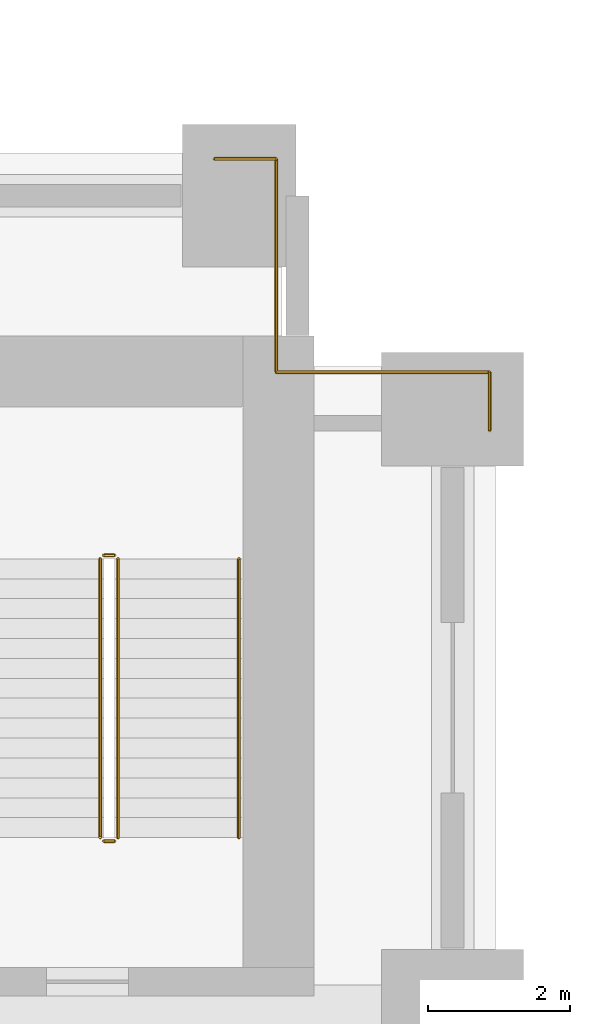
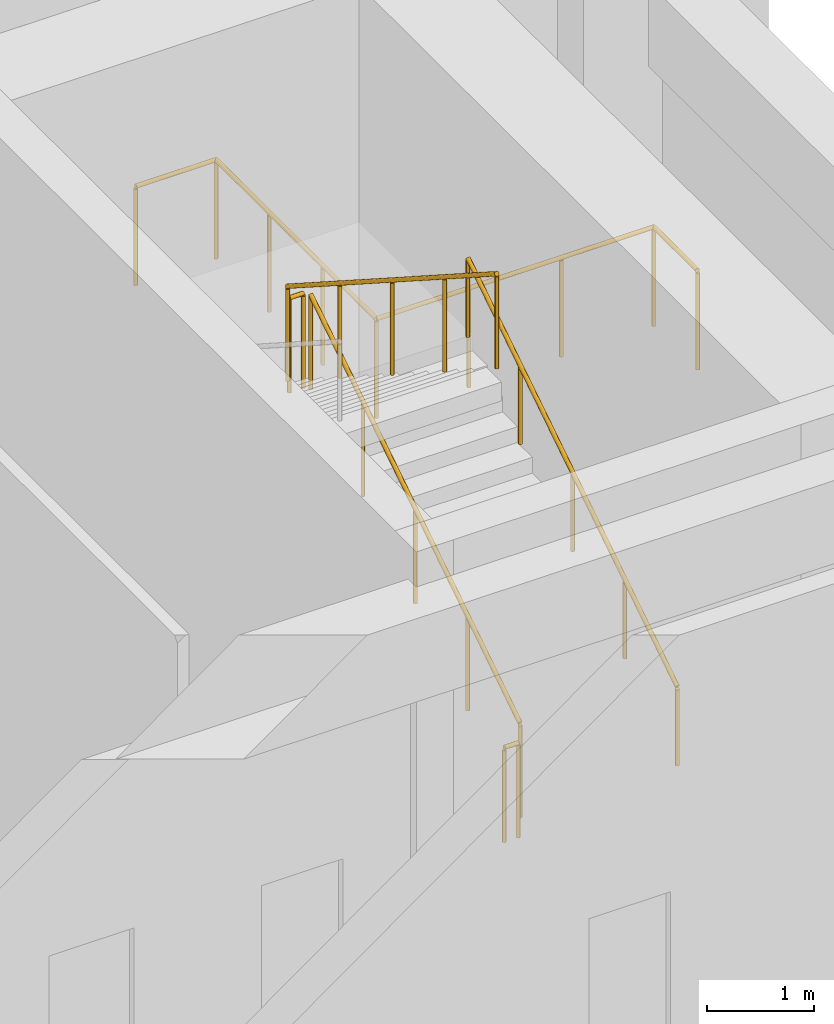
# One storey, part 13 of 14: 9 railings.
"""IFC4 building model written with IfcOpenShell, lengths in metres."""

from ifc_helpers import new_model, si_unit, direction, frame, origin, origin_2d, place, context, subcontext, project, spatial, circle, extrude, material, type_object, element, save


model = new_model("IFC4")

# Units and contexts
model_context = context("Model", 3, precision=1e-05, world=origin(), true_north=direction((0.0, 1.0)))
body_context = subcontext(model_context, "Body", "Model", "MODEL_VIEW")
ifc_project = project(units=[si_unit("LENGTHUNIT", "METRE"), si_unit("AREAUNIT", "SQUARE_METRE"), si_unit("VOLUMEUNIT", "CUBIC_METRE"), si_unit("PLANEANGLEUNIT", "RADIAN"), si_unit("MASSUNIT", "GRAM", prefix="KILO")], contexts=[model_context])

# Site, building, storey
site_placement = place(None, origin())
site = spatial("IfcSite", under=ifc_project, at=site_placement, CompositionType="ELEMENT")
building_placement = place(site_placement, origin())
building = spatial("IfcBuilding", under=site, at=building_placement, Name="Sulina Concourse Tower", CompositionType="ELEMENT")
storey_placement = place(building_placement, origin())
storey = spatial("IfcBuildingStorey", under=building, at=storey_placement, Name="L00", CompositionType="ELEMENT", Elevation=0.0)

# Railings
ifc_material_1 = material(Name="Galvanised steel railing", Category="steel")
railing_type_1 = type_object("IfcRailingType", Name="Core Stair Steel Guardrail 1150mm", PredefinedType="GUARDRAIL", material=ifc_material_1)
railing_1_placement = place(storey_placement, frame((54.050048828125, 45.919921875, 0.0)))
element("IfcRailing", 1, at=railing_1_placement, inside=storey, type_object=railing_type_1, Name="L00 perimeter edge safety guardrail NE1", PredefinedType="GUARDRAIL", context=body_context, shape_type="SweptSolid", body=[
    extrude(circle(Radius=0.02392578125, at=origin_2d()), frame((0.0, 0.0, 1.1259765625), z_axis=(1.0, 0.0, 0.0), x_axis=(0.0, 1.0, 0.0)), (0.0, 0.0, 1.0), 0.869873046875),
    extrude(circle(Radius=0.02099609375, at=origin_2d()), origin(), (0.0, 0.0, 1.0), 1.101806640625),
    extrude(circle(Radius=0.02099609375, at=origin_2d()), frame((0.869873046875, 0.0, 0.0)), (0.0, 0.0, 1.0), 1.101806640625),
])
railing_2_placement = place(storey_placement, frame((54.919921875, 45.919921875, 0.0)))
element("IfcRailing", 2, at=railing_2_placement, inside=storey, type_object=railing_type_1, Name="L00 perimeter edge safety guardrail NE2", PredefinedType="GUARDRAIL", context=body_context, shape_type="SweptSolid", body=[
    extrude(circle(Radius=0.02392578125, at=origin_2d()), frame((0.0, 0.0, 1.1259765625), z_axis=(0.0, -1.0, 0.0), x_axis=(1.0, 0.0, 0.0)), (0.0, 0.0, 1.0), 3.0),
    extrude(circle(Radius=0.02099609375, at=origin_2d()), origin(), (0.0, 0.0, 1.0), 1.101806640625),
    extrude(circle(Radius=0.02099609375, at=origin_2d()), frame((0.0, -1.0, 0.0)), (0.0, 0.0, 1.0), 1.101806640625),
    extrude(circle(Radius=0.02099609375, at=origin_2d()), frame((0.0, -2.0, 0.0)), (0.0, 0.0, 1.0), 1.101806640625),
    extrude(circle(Radius=0.02099609375, at=origin_2d()), frame((0.0, -3.0, 0.0)), (0.0, 0.0, 1.0), 1.101806640625),
])
railing_3_placement = place(storey_placement, frame((54.919921875, 42.919921875, 0.0)))
element("IfcRailing", 3, at=railing_3_placement, inside=storey, type_object=railing_type_1, Name="L00 perimeter edge safety guardrail NE3", PredefinedType="GUARDRAIL", context=body_context, shape_type="SweptSolid", body=[
    extrude(circle(Radius=0.02392578125, at=origin_2d()), frame((0.0, 0.0, 1.1259765625), z_axis=(1.0, 0.0, 0.0), x_axis=(0.0, 1.0, 0.0)), (0.0, 0.0, 1.0), 3.0),
    extrude(circle(Radius=0.02099609375, at=origin_2d()), origin(), (0.0, 0.0, 1.0), 1.101806640625),
    extrude(circle(Radius=0.02099609375, at=origin_2d()), frame((1.0, 0.0, 0.0)), (0.0, 0.0, 1.0), 1.101806640625),
    extrude(circle(Radius=0.02099609375, at=origin_2d()), frame((2.0, 0.0, 0.0)), (0.0, 0.0, 1.0), 1.101806640625),
    extrude(circle(Radius=0.02099609375, at=origin_2d()), frame((3.0, 0.0, 0.0)), (0.0, 0.0, 1.0), 1.101806640625),
])
railing_4_placement = place(storey_placement, frame((57.919921875, 42.919921875, 0.0)))
element("IfcRailing", 4, at=railing_4_placement, inside=storey, type_object=railing_type_1, Name="L00 perimeter edge safety guardrail NE4", PredefinedType="GUARDRAIL", context=body_context, shape_type="SweptSolid", body=[
    extrude(circle(Radius=0.02392578125, at=origin_2d()), frame((0.0, 0.0, 1.1259765625), z_axis=(0.0, -1.0, 0.0), x_axis=(1.0, 0.0, 0.0)), (0.0, 0.0, 1.0), 0.81982421875),
    extrude(circle(Radius=0.02099609375, at=origin_2d()), origin(), (0.0, 0.0, 1.0), 1.101806640625),
    extrude(circle(Radius=0.02099609375, at=origin_2d()), frame((0.0, -0.81982421875, 0.0)), (0.0, 0.0, 1.0), 1.101806640625),
])
railing_5_placement = place(storey_placement, frame((52.695068359375, 36.375, 0.179931640625)))
element("IfcRailing", 5, at=railing_5_placement, inside=storey, type_object=railing_type_1, Name="L00 ST-4 stair guard 1", PredefinedType="GUARDRAIL", context=body_context, shape_type="SweptSolid", body=[
    extrude(circle(Radius=0.02392578125, at=origin_2d()), frame((0.0, 0.0, 1.076171875), z_axis=(0.0, 0.841171666519, 0.540768182723), x_axis=(-1.0, 0.0, 0.0)), (0.0, 0.0, 1.0), 4.66015625),
    extrude(circle(Radius=0.02099609375, at=origin_2d()), origin(), (0.0, 0.0, 1.0), 1.052001953125),
    extrude(circle(Radius=0.02099609375, at=origin_2d()), frame((0.0, 0.97998046875, 0.6298828125)), (0.0, 0.0, 1.0), 1.052001953125),
    extrude(circle(Radius=0.02099609375, at=origin_2d()), frame((0.0, 1.9599609375, 1.260009765625)), (0.0, 0.0, 1.0), 1.052001953125),
    extrude(circle(Radius=0.02099609375, at=origin_2d()), frame((0.0, 2.93994140625, 1.89013671875)), (0.0, 0.0, 1.0), 1.052001953125),
    extrude(circle(Radius=0.02099609375, at=origin_2d()), frame((0.0, 3.919921875, 2.52001953125)), (0.0, 0.0, 1.0), 1.052001953125),
])
railing_6_placement = place(storey_placement, frame((52.64501953125, 40.344970703125, 2.699951171875)))
element("IfcRailing", 6, at=railing_6_placement, inside=storey, type_object=railing_type_1, Name="L00 ST-4 stair guard 2", PredefinedType="GUARDRAIL", context=body_context, shape_type="SweptSolid", body=[
    extrude(circle(Radius=0.02392578125, at=origin_2d()), frame((0.0, 0.0, 1.076171875), z_axis=(-1.0, 0.0, 0.0), x_axis=(0.0, -1.0, 0.0)), (0.0, 0.0, 1.0), 0.14990234375),
    extrude(circle(Radius=0.02099609375, at=origin_2d()), origin(), (0.0, 0.0, 1.0), 1.052001953125),
    extrude(circle(Radius=0.02099609375, at=origin_2d()), frame((-0.14990234375, 0.0, 0.0)), (0.0, 0.0, 1.0), 1.052001953125),
])
railing_7_placement = place(storey_placement, frame((52.445068359375, 40.294921875, 2.8798828125)))
element("IfcRailing", 7, at=railing_7_placement, inside=storey, type_object=railing_type_1, Name="L00 ST-4 stair guard 3", PredefinedType="GUARDRAIL", context=body_context, shape_type="SweptSolid", body=[
    extrude(circle(Radius=0.02392578125, at=origin_2d()), frame((0.0, 0.0, 1.076171875), z_axis=(0.0, -0.841171666519, 0.540768182723), x_axis=(1.0, 0.0, 0.0)), (0.0, 0.0, 1.0), 4.66015625),
    extrude(circle(Radius=0.02099609375, at=origin_2d()), origin(), (0.0, 0.0, 1.0), 1.052001953125),
    extrude(circle(Radius=0.02099609375, at=origin_2d()), frame((0.0, -0.97998046875, 0.6298828125)), (0.0, 0.0, 1.0), 1.052001953125),
    extrude(circle(Radius=0.02099609375, at=origin_2d()), frame((0.0, -1.9599609375, 1.260009765625)), (0.0, 0.0, 1.0), 1.052001953125),
    extrude(circle(Radius=0.02099609375, at=origin_2d()), frame((0.0, -2.93994140625, 1.89013671875)), (0.0, 0.0, 1.0), 1.052001953125),
    extrude(circle(Radius=0.02099609375, at=origin_2d()), frame((0.0, -3.919921875, 2.52001953125)), (0.0, 0.0, 1.0), 1.052001953125),
])
railing_8_placement = place(storey_placement, frame((52.64501953125, 36.324951171875, 0.0)))
element("IfcRailing", 8, at=railing_8_placement, inside=storey, type_object=railing_type_1, Name="L00 ST-4 stair guard 4", PredefinedType="GUARDRAIL", context=body_context, shape_type="SweptSolid", body=[
    extrude(circle(Radius=0.02392578125, at=origin_2d()), frame((0.0, 0.0, 1.076171875), z_axis=(-1.0, 0.0, 0.0), x_axis=(0.0, -1.0, 0.0)), (0.0, 0.0, 1.0), 0.14990234375),
    extrude(circle(Radius=0.02099609375, at=origin_2d()), origin(), (0.0, 0.0, 1.0), 1.052001953125),
    extrude(circle(Radius=0.02099609375, at=origin_2d()), frame((-0.14990234375, 0.0, 0.0)), (0.0, 0.0, 1.0), 1.052001953125),
])
ifc_material_2 = material(Name="Galvanised steel railing", Category="steel")
railing_type_2 = type_object("IfcRailingType", Name="Stair Wall Steel Handrail 920mm", PredefinedType="HANDRAIL", material=ifc_material_2)
railing_9_placement = place(storey_placement, frame((54.39501953125, 36.375, 0.179931640625)))
element("IfcRailing", 9, at=railing_9_placement, inside=storey, type_object=railing_type_2, Name="L00 ST-4 stair handrail 1", PredefinedType="HANDRAIL", context=body_context, shape_type="SweptSolid", body=[
    extrude(circle(Radius=0.02392578125, at=origin_2d()), frame((0.0, 0.0, 0.89599609375), z_axis=(0.0, 0.841171666519, 0.540768182723), x_axis=(-1.0, 0.0, 0.0)), (0.0, 0.0, 1.0), 4.66015625),
    extrude(circle(Radius=0.02099609375, at=origin_2d()), origin(), (0.0, 0.0, 1.0), 0.871826171875),
    extrude(circle(Radius=0.02099609375, at=origin_2d()), frame((0.0, 0.97998046875, 0.6298828125)), (0.0, 0.0, 1.0), 0.871826171875),
    extrude(circle(Radius=0.02099609375, at=origin_2d()), frame((0.0, 1.9599609375, 1.260009765625)), (0.0, 0.0, 1.0), 0.871826171875),
    extrude(circle(Radius=0.02099609375, at=origin_2d()), frame((0.0, 2.93994140625, 1.89013671875)), (0.0, 0.0, 1.0), 0.871826171875),
    extrude(circle(Radius=0.02099609375, at=origin_2d()), frame((0.0, 3.919921875, 2.52001953125)), (0.0, 0.0, 1.0), 0.871826171875),
])

save(model, "model.ifc")
